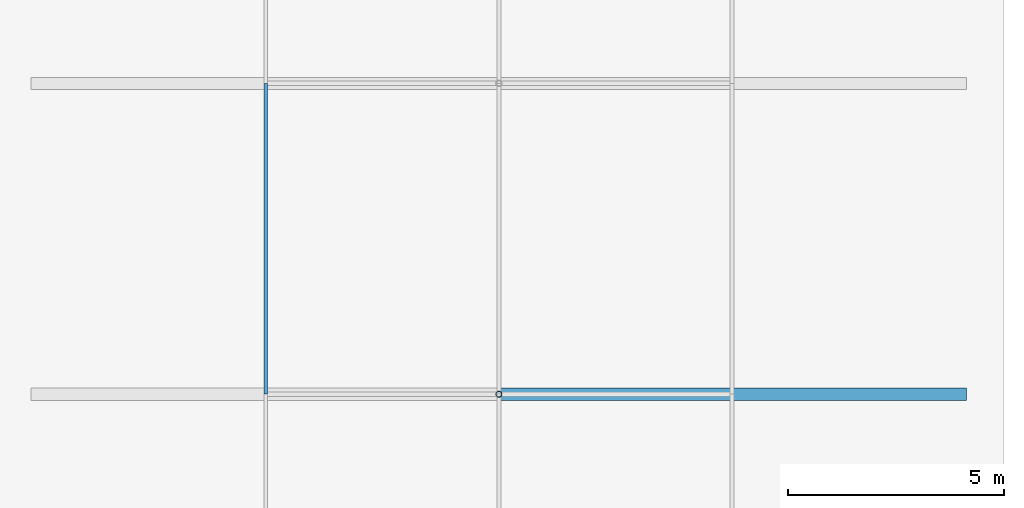
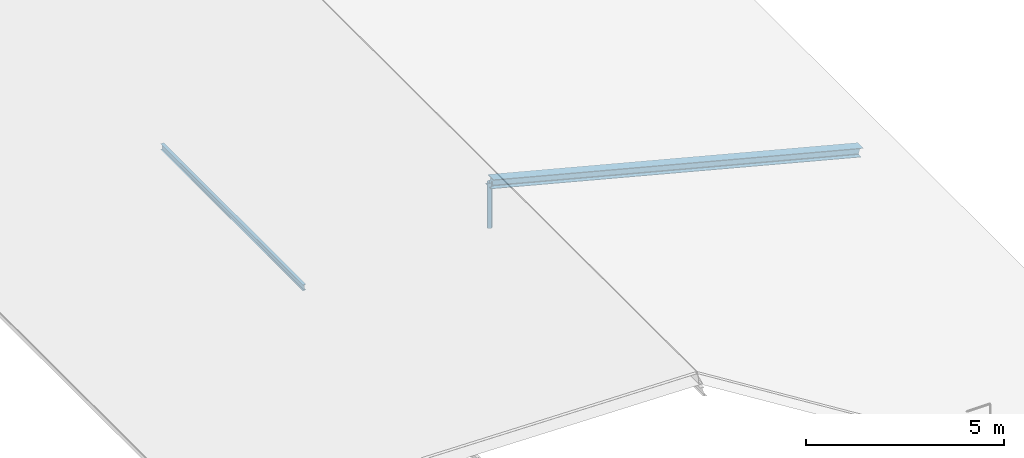
# One storey, part 12 of 40: 3 members.
"""IFC4 building model written with IfcOpenShell, lengths in metres."""

import ifcopenshell
import ifcopenshell.guid

model = None  # the IFC model being written
_history = None  # IfcOwnerHistory: only IFC2X3 demands one
_inside = {}  # id of a spatial element -> (the spatial element, [elements in it])
_under = {}  # id of a project, library or spatial element -> (it, [spatial elements below it])
_declared = {}  # id of a project -> (the project, [libraries it declares])
_typed = {}  # id of a type object -> (the type object, [elements of that type])
_made_of = {}  # id of a material, layer set ... -> (it, [elements and type objects made of it])


def new_model(schema):
    """Start an empty IFC model of exactly this schema.

    Asked for "IFC4X3", IfcOpenShell would pick the latest addendum, in which some entities
    have other attributes; the version numbers below select the first issue.
    IFC2X3 requires an IfcOwnerHistory on every rooted entity: one is made here for all.
    """
    global model, _history
    if schema == "IFC4X3":
        model = ifcopenshell.file(schema_version=(4, 3, 0, 0))
    else:
        model = ifcopenshell.file(schema=schema)
    _inside.clear()
    _under.clear()
    _declared.clear()
    _typed.clear()
    _made_of.clear()
    _history = None
    if model.schema == "IFC2X3":
        org = make("IfcOrganization", Name="unknown")
        user = make(
            "IfcPersonAndOrganization",
            ThePerson=make("IfcPerson", FamilyName="unknown"),
            TheOrganization=org,
        )
        app = make(
            "IfcApplication",
            ApplicationDeveloper=org,
            Version="unknown",
            ApplicationFullName="unknown",
            ApplicationIdentifier="unknown",
        )
        _history = make(
            "IfcOwnerHistory",
            OwningUser=user,
            OwningApplication=app,
            ChangeAction="ADDED",
            CreationDate=0,
        )
    return model


def make(cls, **values):
    """One entity of the class cls with the attributes given. An attribute that is None is left unset."""
    return model.create_entity(
        cls, **{name: value for name, value in values.items() if value is not None}
    )


def rooted(cls, **values):
    """An entity with a GlobalId (a new one), such as an element, a storey or a relation."""
    return make(cls, GlobalId=ifcopenshell.guid.new(), OwnerHistory=_history, **values)


def si_unit(unit_type, name, prefix=None):
    """IfcSIUnit, for example si_unit("LENGTHUNIT", "METRE", prefix="MILLI")."""
    return make("IfcSIUnit", UnitType=unit_type, Prefix=prefix, Name=name)


def assignment(units):
    """IfcUnitAssignment: the units of a project."""
    return None if units is None else make("IfcUnitAssignment", Units=units)


def point(xyz):
    """IfcCartesianPoint."""
    return None if xyz is None else make("IfcCartesianPoint", Coordinates=xyz)


def direction(xyz):
    """IfcDirection."""
    return None if xyz is None else make("IfcDirection", DirectionRatios=xyz)


def frame(location, z_axis=None, x_axis=None):
    """IfcAxis2Placement3D, a coordinate frame: its origin and axes. An axis left out is left unset."""
    return make(
        "IfcAxis2Placement3D",
        Location=point(location),
        Axis=direction(z_axis),
        RefDirection=direction(x_axis),
    )


def frame_2d(location, x_axis=None):
    """IfcAxis2Placement2D, a coordinate frame in the plane: its origin and x axis."""
    return make(
        "IfcAxis2Placement2D", Location=point(location), RefDirection=direction(x_axis)
    )


def origin():
    """The frame at (0, 0, 0) with its axes left unset."""
    return frame((0.0, 0.0, 0.0))


def origin_2d():
    """The frame at (0, 0) in the plane with its x axis left unset."""
    return frame_2d((0.0, 0.0))


def place(relative_to, where):
    """IfcLocalPlacement: puts the frame where relative to a parent placement (None: the world)."""
    return make(
        "IfcLocalPlacement", PlacementRelTo=relative_to, RelativePlacement=where
    )


def context(
    kind, dimensions, precision=None, world=None, true_north=None, identifier=None
):
    """IfcGeometricRepresentationContext, for example the 3D "Model" context."""
    return make(
        "IfcGeometricRepresentationContext",
        ContextIdentifier=identifier,
        ContextType=kind,
        CoordinateSpaceDimension=dimensions,
        Precision=precision,
        WorldCoordinateSystem=world,
        TrueNorth=true_north,
    )


def subcontext(parent, identifier, kind, view, scale=None):
    """IfcGeometricRepresentationSubContext, for example "Body" below "Model"."""
    return make(
        "IfcGeometricRepresentationSubContext",
        ContextIdentifier=identifier,
        ContextType=kind,
        ParentContext=parent,
        TargetScale=scale,
        TargetView=view,
    )


def project(units=None, contexts=None):
    """IfcProject with its units and contexts."""
    return rooted(
        "IfcProject",
        Name="project",
        RepresentationContexts=contexts,
        UnitsInContext=assignment(units),
    )


def spatial(cls, under=None, at=None, **own):
    """A site, building, storey or space (cls), placed at a placement, below another one or the project."""
    s = rooted(cls, ObjectPlacement=at, **own)
    if under is not None:
        _under.setdefault(under.id(), (under, []))[1].append(s)
    return s


def profile(cls, at=None, kind="AREA", **sizes):
    """A parametric profile (cls). Its sizes go by their IFC names, for example OverallWidth=200.0."""
    return make(cls, ProfileType=kind, Position=at, **sizes)


def hollow_circle(**sizes):
    """IfcCircleHollowProfileDef."""
    return profile("IfcCircleHollowProfileDef", **sizes)


def i_section(**sizes):
    """IfcIShapeProfileDef."""
    return profile("IfcIShapeProfileDef", **sizes)


def extrude(swept, where, along, depth):
    """IfcExtrudedAreaSolid: the profile swept, set in the frame where, extruded along a direction by depth."""
    return make(
        "IfcExtrudedAreaSolid",
        SweptArea=swept,
        Position=where,
        ExtrudedDirection=direction(along),
        Depth=depth,
    )


def shape(context_of_items, identifier, shape_type, items):
    """IfcShapeRepresentation: the items that make up one representation, for example the "Body"."""
    return make(
        "IfcShapeRepresentation",
        ContextOfItems=context_of_items,
        RepresentationIdentifier=identifier,
        RepresentationType=shape_type,
        Items=items,
    )


def material(Name=None, Category=None):
    """IfcMaterial."""
    return make("IfcMaterial", Name=Name, Category=Category)


def material_profile(
    of_material, cross_section, Name=None, Category=None, Priority=None
):
    """IfcMaterialProfile: a cross section and its material."""
    return make(
        "IfcMaterialProfile",
        Name=Name,
        Material=of_material,
        Profile=cross_section,
        Priority=Priority,
        Category=Category,
    )


def profile_set(profiles, Name=None, composite=None):
    """IfcMaterialProfileSet."""
    return make(
        "IfcMaterialProfileSet",
        Name=Name,
        MaterialProfiles=profiles,
        CompositeProfile=composite,
    )


def made_of(thing, what):
    """Note that an element or type object is made of a material, layer set ...; save() writes the relation."""
    if what is not None:
        _made_of.setdefault(what.id(), (what, []))[1].append(thing)
    return thing


def type_object(cls, material=None, **own):
    """A type object (cls), such as IfcWallType, which elements share."""
    return made_of(rooted(cls, **own), material)


def element(
    cls,
    number,
    at=None,
    inside=None,
    cuts=None,
    type_object=None,
    material=None,
    context=None,
    identifier="Body",
    shape_type=None,
    held_by="IfcProductDefinitionShape",
    body=None,
    shapes=None,
    **own,
):
    """One element of the class cls, such as IfcWall. Its Tag is "e" and its number.

    at: its placement. inside: the storey or other place that contains it. cuts: it is an
    opening in that element (IfcRelVoidsElement). A single representation is given by context,
    identifier, shape_type and body (its items); several are given by shapes. held_by: the class
    of the entity that holds the representations. save() writes the other relations.
    """
    e = rooted(cls, Tag="e%d" % number, ObjectPlacement=at, **own)
    if body is not None:
        shapes = [shape(context, identifier, shape_type, body)]
    if shapes is not None:
        e.Representation = make(held_by, Representations=shapes)
    if inside is not None:
        _inside.setdefault(inside.id(), (inside, []))[1].append(e)
    if cuts is not None:
        rooted(
            "IfcRelVoidsElement", RelatingBuildingElement=cuts, RelatedOpeningElement=e
        )
    if type_object is not None:
        _typed.setdefault(type_object.id(), (type_object, []))[1].append(e)
    return made_of(e, material)


def aggregate(whole, parts):
    """IfcRelAggregates: a whole, such as a stair, and the parts it consists of."""
    return rooted("IfcRelAggregates", RelatingObject=whole, RelatedObjects=parts)


def save(model, path):
    """Write the relations noted so far, then the file.

    IfcRelAggregates (storeys below a building ...), IfcRelContainedInSpatialStructure (elements
    in a storey), IfcRelDefinesByType, IfcRelAssociatesMaterial and IfcRelDeclares: one each for
    every whole, place, type object, material and project.
    """
    for whole, parts in _under.values():
        aggregate(whole, parts)
    for where, things in _inside.values():
        rooted(
            "IfcRelContainedInSpatialStructure",
            RelatedElements=things,
            RelatingStructure=where,
        )
    for kind, things in _typed.values():
        rooted("IfcRelDefinesByType", RelatedObjects=things, RelatingType=kind)
    for what, things in _made_of.values():
        rooted("IfcRelAssociatesMaterial", RelatedObjects=things, RelatingMaterial=what)
    for by, libraries in _declared.values():
        rooted("IfcRelDeclares", RelatingContext=by, RelatedDefinitions=libraries)
    model.write(path)


model = new_model("IFC4")

# Units and contexts
model_context = context("Model", 3, precision=1e-05, world=origin(), true_north=direction((0.0, 1.0)))
body_context = subcontext(model_context, "Body", "Model", "MODEL_VIEW")
ifc_project = project(units=[si_unit("LENGTHUNIT", "METRE"), si_unit("AREAUNIT", "SQUARE_METRE"), si_unit("VOLUMEUNIT", "CUBIC_METRE"), si_unit("PLANEANGLEUNIT", "RADIAN"), si_unit("MASSUNIT", "GRAM", prefix="KILO"), si_unit("THERMODYNAMICTEMPERATUREUNIT", "KELVIN"), si_unit("POWERUNIT", "WATT")], contexts=[model_context])

# Site, building, storey
site_placement = place(None, origin())
site = spatial("IfcSite", under=ifc_project, at=site_placement, CompositionType="ELEMENT")
building_placement = place(site_placement, origin())
building = spatial("IfcBuilding", under=site, at=building_placement, Name="Tavuni Mirador Residences", CompositionType="ELEMENT")
storey_placement = place(building_placement, frame((0.0, 0.0, 36.0)))
storey = spatial("IfcBuildingStorey", under=building, at=storey_placement, Name="L11", CompositionType="ELEMENT", Elevation=36.0)

# Members
ifc_material = material(Name="Structural steel S355", Category="steel")
ifc_material_profile_1 = material_profile(ifc_material, hollow_circle(Radius=0.06982421875, WallThickness=0.008056640625, at=origin_2d()), Name="CHS 139.7x8.0", Category="steel")
ifc_profile_set_1 = profile_set([ifc_material_profile_1], Name="Structural steel S355")
member_type_1 = type_object("IfcMemberType", Name="MT-BR-CHS139", PredefinedType="BRACE", material=ifc_profile_set_1)
member_1_placement = place(storey_placement, frame((108.0, 100.800048828125, 1.050048828125), z_axis=(0.0, 0.0, 1.0), x_axis=(1.0, 0.0, 0.0)))
element("IfcMember", 1, at=member_1_placement, inside=storey, type_object=member_type_1, Name="RKP-BLK-D-02", PredefinedType="BRACE", context=body_context, shape_type="SweptSolid", body=[
    extrude(hollow_circle(Radius=0.06982421875, WallThickness=0.008056640625, at=origin_2d()), origin(), (0.0, 0.0, 1.0), 1.39990234375),
])
ifc_material_profile_2 = material_profile(ifc_material, i_section(OverallWidth=0.280029296875, OverallDepth=0.27001953125, WebThickness=0.008056640625, FlangeThickness=0.012939453125, FilletRadius=0.02392578125, at=origin_2d()), Name="HEA 280", Category="steel")
ifc_profile_set_2 = profile_set([ifc_material_profile_2], Name="Structural steel S355")
member_type_2 = type_object("IfcMemberType", Name="MT-CH-HEA280", PredefinedType="CHORD", material=ifc_profile_set_2)
member_2_placement = place(storey_placement, frame((108.0, 100.800048828125, 2.449951171875), z_axis=(0.967996110632, 0.0, -0.250965196393), x_axis=(0.0, 1.0, 0.0)))
element("IfcMember", 2, at=member_2_placement, inside=storey, type_object=member_type_2, Name="RAF-BLK-D-02-E", PredefinedType="CHORD", context=body_context, shape_type="SweptSolid", body=[
    extrude(i_section(OverallWidth=0.280029296875, OverallDepth=0.27001953125, WebThickness=0.008056640625, FlangeThickness=0.012939453125, FilletRadius=0.02392578125, at=origin_2d()), origin(), (0.0, 0.0, 1.0), 11.1572265625),
])
ifc_material_profile_3 = material_profile(ifc_material, i_section(OverallWidth=0.091064453125, OverallDepth=0.179931640625, WebThickness=0.00537109375, FlangeThickness=0.008056640625, FilletRadius=0.009033203125, at=origin_2d()), Name="IPE 180", Category="steel")
ifc_profile_set_3 = profile_set([ifc_material_profile_3], Name="Structural steel S355")
member_type_3 = type_object("IfcMemberType", Name="MT-PR-IPE180", PredefinedType="PURLIN", material=ifc_profile_set_3)
member_3_placement = place(storey_placement, frame((102.60009765625, 100.800048828125, 1.074951171875), z_axis=(0.0, 1.0, 0.0), x_axis=(-1.0, 0.0, 0.0)))
element("IfcMember", 3, at=member_3_placement, inside=storey, type_object=member_type_3, Name="RPUR-BLK-D-25-02", PredefinedType="PURLIN", context=body_context, shape_type="SweptSolid", body=[
    extrude(i_section(OverallWidth=0.091064453125, OverallDepth=0.179931640625, WebThickness=0.00537109375, FlangeThickness=0.008056640625, FilletRadius=0.009033203125, at=origin_2d()), origin(), (0.0, 0.0, 1.0), 7.199951171875),
])

save(model, "model.ifc")
